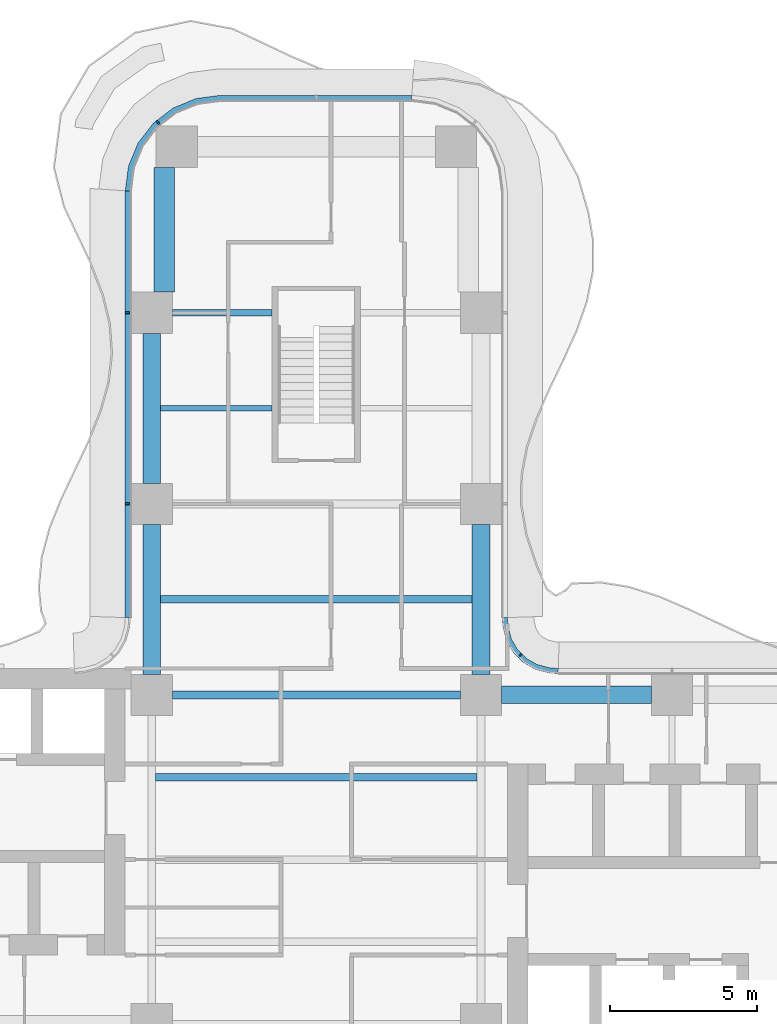
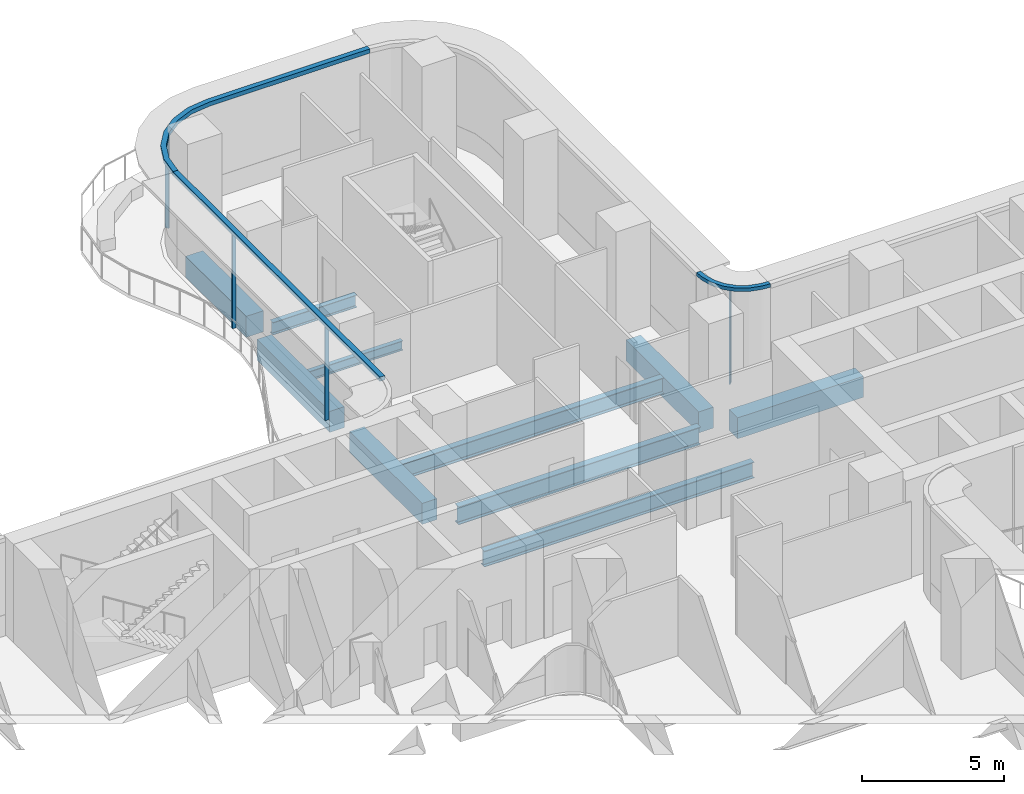
# One storey, part 9 of 22: 10 beams, 7 members, 3 elements without a shape of their own.
"""IFC4 building model written with IfcOpenShell, lengths in metres."""

from ifc_helpers import new_model, si_unit, direction, frame, origin, origin_2d, place, context, subcontext, project, spatial, polyline, rectangle, i_section, outline, extrude, source, transform, mapped, material, layer, layer_set, material_profile, profile_set, type_object, element, aggregate, save


model = new_model("IFC4")

# Units and contexts
model_context = context("Model", 3, precision=1e-05, world=origin(), true_north=direction((0.0, 1.0)))
body_context = subcontext(model_context, "Body", "Model", "MODEL_VIEW")
ifc_project = project(units=[si_unit("LENGTHUNIT", "METRE"), si_unit("AREAUNIT", "SQUARE_METRE"), si_unit("VOLUMEUNIT", "CUBIC_METRE"), si_unit("PLANEANGLEUNIT", "RADIAN"), si_unit("MASSUNIT", "GRAM", prefix="KILO")], contexts=[model_context])

# Site, building, storey
site_placement = place(None, origin())
site = spatial("IfcSite", under=ifc_project, at=site_placement, CompositionType="ELEMENT")
building_placement = place(site_placement, origin())
building = spatial("IfcBuilding", under=site, at=building_placement, Name="Trellis Farm Tower", CompositionType="ELEMENT")
storey_placement = place(building_placement, frame((0.0, 0.0, 88.0)))
storey = spatial("IfcBuildingStorey", under=building, at=storey_placement, Name="L18", CompositionType="ELEMENT", Elevation=88.0)

# Beams
ifc_material_1 = material(Name="Steel S355", Category="steel")
ifc_material_profile_1 = material_profile(ifc_material_1, i_section(OverallWidth=0.253662109375, OverallDepth=0.68359375, WebThickness=0.012451171875, FlangeThickness=0.021728515625, FilletRadius=0.01513671875, at=origin_2d()), Name="UB 686x254x140")
ifc_profile_set_1 = profile_set([ifc_material_profile_1], Name="Steel S355")
beam_type_1 = type_object("IfcBeamType", Name="UB 686x254x140 joist", PredefinedType="JOIST", material=ifc_profile_set_1)
shared_shape_1 = source(origin(), body_context, "Body", "SweptSolid", [
    extrude(i_section(OverallWidth=0.253662109375, OverallDepth=0.68359375, WebThickness=0.012451171875, FlangeThickness=0.021728515625, FilletRadius=0.01513671875, at=origin_2d()), origin(), (0.0, 0.0, 1.0), 10.93310546875),
])
beam_1_placement = place(storey_placement, frame((-5.466552734375, 2.800048828125, -0.591796875), z_axis=(1.0, 0.0, 0.0), x_axis=(0.0, 1.0, 0.0)))
element("IfcBeam", 1, at=beam_1_placement, inside=storey, type_object=beam_type_1, Name="Floor beam", PredefinedType="JOIST", context=body_context, shape_type="MappedRepresentation", body=[
    mapped(shared_shape_1, transform((0.0, 0.0, 0.0))),
])
ifc_material_profile_2 = material_profile(ifc_material_1, i_section(OverallWidth=0.209228515625, OverallDepth=0.533203125, WebThickness=0.010009765625, FlangeThickness=0.015625, FilletRadius=0.0126953125, at=origin_2d()), Name="UB 533x210x92")
ifc_profile_set_2 = profile_set([ifc_material_profile_2], Name="Steel S355")
beam_type_2 = type_object("IfcBeamType", Name="UB 533x210x92", PredefinedType="BEAM", material=ifc_profile_set_2)
shared_shape_2 = source(origin(), body_context, "Body", "SweptSolid", [
    extrude(i_section(OverallWidth=0.209228515625, OverallDepth=0.533203125, WebThickness=0.010009765625, FlangeThickness=0.015625, FilletRadius=0.0126953125, at=origin_2d()), origin(), (0.0, 0.0, 1.0), 3.39990234375),
])
beam_2_placement = place(storey_placement, frame((-4.89990234375, 18.60009765625, -0.5166015625), z_axis=(1.0, 0.0, 0.0), x_axis=(0.0, 1.0, 0.0)))
element("IfcBeam", 2, at=beam_2_placement, inside=storey, type_object=beam_type_2, Name="Girder", PredefinedType="BEAM", context=body_context, shape_type="MappedRepresentation", body=[
    mapped(shared_shape_2, transform((0.0, 0.0, 0.0))),
])
ifc_material_2 = material(Name="Concrete C60/75", Category="concrete")
ifc_material_profile_3 = material_profile(ifc_material_2, rectangle(XDim=0.60009765625, YDim=0.89990234375, at=origin_2d()), Name="RC spandrel beam 600x900 C60/75")
ifc_profile_set_3 = profile_set([ifc_material_profile_3], Name="Concrete C60/75")
beam_type_3 = type_object("IfcBeamType", Name="RC spandrel beam 600x900 C60/75", PredefinedType="SPANDREL", material=ifc_profile_set_3)
shared_shape_3 = source(origin(), body_context, "Body", "SweptSolid", [
    extrude(rectangle(XDim=0.60009765625, YDim=0.89990234375, at=origin_2d()), origin(), (0.0, 0.0, 1.0), 5.099853515625),
])
for number, where, z_axis, x_axis, name in (
    (3, (6.300048828125, 5.60009765625, -0.699951171875), (1.0, 0.0, 0.0), (0.0, 1.0, 0.0), "Girder"),
    (4, (-5.60009765625, 6.300048828125, -0.699951171875), (0.0, 1.0, 0.0), (-1.0, 0.0, 0.0), "Girder"),
    (5, (-5.60009765625, 12.800048828125, -0.699951171875), (0.0, 1.0, 0.0), (-1.0, 0.0, 0.0), "Girder"),
    (6, (5.60009765625, 6.300048828125, -0.699951171875), (0.0, 1.0, 0.0), (-1.0, 0.0, 0.0), "Girder"),
):
    element("IfcBeam", number, at=place(storey_placement, frame(where, z_axis=z_axis, x_axis=x_axis)), inside=storey, type_object=beam_type_3, Name=name, PredefinedType="SPANDREL", context=body_context, shape_type="MappedRepresentation", body=[
        mapped(shared_shape_3, transform((0.0, 0.0, 0.0))),
    ])
ifc_material_profile_4 = material_profile(ifc_material_1, i_section(OverallWidth=0.2666015625, OverallDepth=0.76220703125, WebThickness=0.014404296875, FlangeThickness=0.021484375, FilletRadius=0.0166015625, at=origin_2d()), Name="UB 762x267x173")
ifc_profile_set_4 = profile_set([ifc_material_profile_4], Name="Steel S355")
beam_type_4 = type_object("IfcBeamType", Name="UB 762x267x173", PredefinedType="BEAM", material=ifc_profile_set_4)
shared_shape_4 = source(origin(), body_context, "Body", "SweptSolid", [
    extrude(i_section(OverallWidth=0.2666015625, OverallDepth=0.76220703125, WebThickness=0.014404296875, FlangeThickness=0.021484375, FilletRadius=0.0166015625, at=origin_2d()), origin(), (0.0, 0.0, 1.0), 9.7998046875),
])
beam_3_placement = place(storey_placement, frame((-4.89990234375, 5.60009765625, -0.631103515625), z_axis=(1.0, 0.0, 0.0), x_axis=(0.0, 1.0, 0.0)))
element("IfcBeam", 7, at=beam_3_placement, inside=storey, type_object=beam_type_4, Name="Girder", PredefinedType="BEAM", context=body_context, shape_type="MappedRepresentation", body=[
    mapped(shared_shape_4, transform((0.0, 0.0, 0.0))),
])
ifc_material_profile_5 = material_profile(ifc_material_2, rectangle(XDim=0.699951171875, YDim=0.89990234375, at=origin_2d()), Name="RC spandrel beam 700x900 C60/75")
ifc_profile_set_5 = profile_set([ifc_material_profile_5], Name="Concrete C60/75")
beam_type_5 = type_object("IfcBeamType", Name="RC spandrel beam 700x900 C60/75", PredefinedType="SPANDREL", material=ifc_profile_set_5)
shared_shape_5 = source(origin(), body_context, "Body", "SweptSolid", [
    extrude(rectangle(XDim=0.699951171875, YDim=0.89990234375, at=origin_2d()), origin(), (0.0, 0.0, 1.0), 4.25),
])
beam_4_placement = place(storey_placement, frame((-5.175048828125, 19.300048828125, -0.699951171875), z_axis=(0.0, 1.0, 0.0), x_axis=(-1.0, 0.0, 0.0)))
element("IfcBeam", 8, at=beam_4_placement, inside=storey, type_object=beam_type_5, Name="Girder", PredefinedType="SPANDREL", context=body_context, shape_type="MappedRepresentation", body=[
    mapped(shared_shape_5, transform((0.0, 0.0, 0.0))),
])
ifc_material_profile_6 = material_profile(ifc_material_1, i_section(OverallWidth=0.177978515625, OverallDepth=0.406494140625, WebThickness=0.0078125, FlangeThickness=0.0126953125, FilletRadius=0.01025390625, at=origin_2d()), Name="UB 406x178x60")
ifc_profile_set_6 = profile_set([ifc_material_profile_6], Name="Steel S355")
beam_type_6 = type_object("IfcBeamType", Name="UB 406x178x60 joist", PredefinedType="JOIST", material=ifc_profile_set_6)
shared_shape_6 = source(origin(), body_context, "Body", "SweptSolid", [
    extrude(i_section(OverallWidth=0.177978515625, OverallDepth=0.406494140625, WebThickness=0.0078125, FlangeThickness=0.0126953125, FilletRadius=0.01025390625, at=origin_2d()), origin(), (0.0, 0.0, 1.0), 3.800048828125),
])
beam_5_placement = place(storey_placement, frame((-5.300048828125, 15.35009765625, -0.453125), z_axis=(1.0, 0.0, 0.0), x_axis=(0.0, 1.0, 0.0)))
element("IfcBeam", 9, at=beam_5_placement, inside=storey, type_object=beam_type_6, Name="Floor beam", PredefinedType="JOIST", context=body_context, shape_type="MappedRepresentation", body=[
    mapped(shared_shape_6, transform((0.0, 0.0, 0.0))),
])
shared_shape_7 = source(origin(), body_context, "Body", "SweptSolid", [
    extrude(i_section(OverallWidth=0.253662109375, OverallDepth=0.68359375, WebThickness=0.012451171875, FlangeThickness=0.021728515625, FilletRadius=0.01513671875, at=origin_2d()), origin(), (0.0, 0.0, 1.0), 10.60009765625),
])
beam_6_placement = place(storey_placement, frame((-5.300048828125, 8.85009765625, -0.591796875), z_axis=(1.0, 0.0, 0.0), x_axis=(0.0, 1.0, 0.0)))
element("IfcBeam", 10, at=beam_6_placement, inside=storey, type_object=beam_type_1, Name="Floor beam", PredefinedType="JOIST", context=body_context, shape_type="MappedRepresentation", body=[
    mapped(shared_shape_7, transform((0.0, 0.0, 0.0))),
])

# Curtain wall, member
ifc_material_3 = material(Name="Aluminium and glass curtain wall", Category="aluminium")
ifc_layer_1 = layer(ifc_material_3, 0.166015625)
ifc_layer_set_1 = layer_set([ifc_layer_1], Name="WINTER GARDEN CURTAIN WALL CW3")
curtain_wall_type_1 = type_object("IfcCurtainWallType", Name="WINTER GARDEN CURTAIN WALL CW3", PredefinedType="NOTDEFINED", material=ifc_layer_set_1)
placement_1 = place(storey_placement, origin())
curtain_wall_1 = element("IfcCurtainWall", 11, at=placement_1, inside=storey, type_object=curtain_wall_type_1, Name="CW3 003", PredefinedType="NOTDEFINED")
ifc_material_4 = material(Name="Aluminium extrusion 6063-T6", Category="aluminium")
ifc_layer_2 = layer(ifc_material_4, 0.169921875)
ifc_layer_set_2 = layer_set([ifc_layer_2], Name="Aluminium extrusion 6063-T6")
member_type_1 = type_object("IfcMemberType", Name="CW3 TRANSOM 170x150", PredefinedType="USERDEFINED", material=ifc_layer_set_2)
shared_shape_8 = source(origin(), body_context, "Body", "SweptSolid", [
    extrude(outline(polyline([(8.2314453125, 6.5), (8.01953125, 6.513916015625), (7.91552734375, 6.527587890625), (7.508544921875, 6.63671875), (7.144287109375, 6.846923828125), (6.846923828125, 7.144287109375), (6.63671875, 7.508544921875), (6.527587890625, 7.91552734375), (6.513916015625, 8.01953125), (6.5, 8.2314453125), (6.330078125, 8.225830078125), (6.3447265625, 8.0029296875), (6.360595703125, 7.88232421875), (6.478271484375, 7.44287109375), (6.7109375, 7.0400390625), (7.0400390625, 6.7109375), (7.44287109375, 6.478271484375), (7.88232421875, 6.360595703125), (8.0029296875, 6.3447265625), (8.225830078125, 6.330078125), (8.2314453125, 6.5)])), origin(), (0.0, 0.0, 1.0), 0.14990234375),
])
member_1_placement = place(storey_placement, frame((0.0, 0.0, 4.050048828125)))
member_1 = element("IfcMember", 12, at=member_1_placement, type_object=member_type_1, Name="TR3 003", ObjectType="TRANSOM", PredefinedType="USERDEFINED", context=body_context, shape_type="MappedRepresentation", body=[
    mapped(shared_shape_8, transform((0.0, 0.0, 0.0))),
])

ifc_layer_3 = layer(ifc_material_3, 0.18994140625)
ifc_layer_set_3 = layer_set([ifc_layer_3], Name="RIBBON CURTAIN WALL CW1")
curtain_wall_type_2 = type_object("IfcCurtainWallType", Name="RIBBON CURTAIN WALL CW1", PredefinedType="NOTDEFINED", material=ifc_layer_set_3)
curtain_wall_2 = element("IfcCurtainWall", 13, at=placement_1, inside=storey, type_object=curtain_wall_type_2, Name="CW1 011", PredefinedType="NOTDEFINED")
ifc_layer_4 = layer(ifc_material_4, 0.199951171875)
ifc_layer_set_4 = layer_set([ifc_layer_4], Name="Aluminium extrusion 6063-T6")
member_type_2 = type_object("IfcMemberType", Name="CW1 TRANSOM 200x180", PredefinedType="USERDEFINED", material=ifc_layer_set_4)
shared_shape_9 = source(origin(), body_context, "Body", "SweptSolid", [
    extrude(outline(polyline([(-6.5, 22.75), (-6.5, 8.2314453125), (-6.300048828125, 8.224853515625), (-6.300048828125, 22.73681640625), (-6.5, 22.75)])), origin(), (0.0, 0.0, 1.0), 0.179931640625),
])
placement_2 = place(storey_placement, frame((0.0, 0.0, 4.02001953125)))
member_2 = element("IfcMember", 14, at=placement_2, type_object=member_type_2, Name="TR1 011", ObjectType="TRANSOM", PredefinedType="USERDEFINED", context=body_context, shape_type="MappedRepresentation", body=[
    mapped(shared_shape_9, transform((0.0, 0.0, 0.0))),
])

# Curtain wall, members
curtain_wall_3 = element("IfcCurtainWall", 15, at=placement_1, inside=storey, type_object=curtain_wall_type_2, Name="CW1 010", PredefinedType="NOTDEFINED")
shared_shape_10 = source(origin(), body_context, "Body", "SweptSolid", [
    extrude(outline(polyline([(3.25, 26.0), (-3.25, 26.0), (-4.091064453125, 25.88916015625), (-4.875, 25.564697265625), (-5.548095703125, 25.048095703125), (-6.064697265625, 24.375), (-6.38916015625, 23.591064453125), (-6.5, 22.75), (-6.300048828125, 22.73681640625), (-6.1943359375, 23.5390625), (-5.889892578125, 24.274169921875), (-5.405517578125, 24.905517578125), (-4.774169921875, 25.389892578125), (-4.0390625, 25.6943359375), (-3.23681640625, 25.800048828125), (3.23681640625, 25.800048828125), (3.25, 26.0)])), origin(), (0.0, 0.0, 1.0), 0.179931640625),
])
member_3 = element("IfcMember", 16, at=placement_2, type_object=member_type_2, Name="TR1 010", ObjectType="TRANSOM", PredefinedType="USERDEFINED", context=body_context, shape_type="MappedRepresentation", body=[
    mapped(shared_shape_10, transform((0.0, 0.0, 0.0))),
])
ifc_material_profile_7 = material_profile(ifc_material_4, rectangle(XDim=0.06005859375, YDim=0.14990234375, at=origin_2d()), Name="MULLION 60x150")
ifc_profile_set_7 = profile_set([ifc_material_profile_7], Name="Aluminium extrusion 6063-T6")
member_type_3 = type_object("IfcMemberType", Name="CW1 MULLION 60x150", PredefinedType="MULLION", material=ifc_profile_set_7)
shared_shape_11 = source(origin(), body_context, "Body", "SweptSolid", [
    extrude(rectangle(XDim=0.06005859375, YDim=0.14990234375, at=origin_2d()), origin(), (0.0, 0.0, 1.0), 4.02001953125),
])
member_4_placement = place(storey_placement, frame((-5.385498046875, 25.078369140625, 0.0), z_axis=(0.0, 0.0, 1.0), x_axis=(-0.793353340291, -0.608761429009, 0.0)))
member_4 = element("IfcMember", 17, at=member_4_placement, type_object=member_type_3, Name="MU1 010-02", PredefinedType="MULLION", context=body_context, shape_type="MappedRepresentation", body=[
    mapped(shared_shape_11, transform((0.0, 0.0, 0.0))),
])
aggregate(curtain_wall_3, [member_4, member_3])

# Member
member_5_placement = place(storey_placement, frame((-6.425048828125, 18.60009765625, 0.0), z_axis=(0.0, 0.0, 1.0), x_axis=(0.0, -1.0, 0.0)))
member_5 = element("IfcMember", 18, at=member_5_placement, type_object=member_type_3, Name="MU1 011-01", PredefinedType="MULLION", context=body_context, shape_type="MappedRepresentation", body=[
    mapped(shared_shape_11, transform((0.0, 0.0, 0.0))),
])

member_6_placement = place(storey_placement, frame((-6.425048828125, 12.10009765625, 0.0), z_axis=(0.0, 0.0, 1.0), x_axis=(0.0, -1.0, 0.0)))
member_6 = element("IfcMember", 19, at=member_6_placement, type_object=member_type_3, Name="MU1 011-02", PredefinedType="MULLION", context=body_context, shape_type="MappedRepresentation", body=[
    mapped(shared_shape_11, transform((0.0, 0.0, 0.0))),
])

aggregate(curtain_wall_2, [member_5, member_6, member_2])

ifc_material_profile_8 = material_profile(ifc_material_4, rectangle(XDim=0.050048828125, YDim=0.1201171875, at=origin_2d()), Name="MULLION 50x120")
ifc_profile_set_8 = profile_set([ifc_material_profile_8], Name="Aluminium extrusion 6063-T6")
member_type_4 = type_object("IfcMemberType", Name="CW3 MULLION 50x120", PredefinedType="MULLION", material=ifc_profile_set_8)
shared_shape_12 = source(origin(), body_context, "Body", "SweptSolid", [
    extrude(rectangle(XDim=0.050048828125, YDim=0.1201171875, at=origin_2d()), origin(), (0.0, 0.0, 1.0), 4.050048828125),
])
member_7_placement = place(storey_placement, frame((6.953125, 6.953125, 0.0), z_axis=(0.0, 0.0, 1.0), x_axis=(-0.707106781187, 0.707106781187, 0.0)))
member_7 = element("IfcMember", 20, at=member_7_placement, type_object=member_type_4, Name="MU3 003-01", PredefinedType="MULLION", context=body_context, shape_type="MappedRepresentation", body=[
    mapped(shared_shape_12, transform((0.0, 0.0, 0.0))),
])

aggregate(curtain_wall_1, [member_7, member_1])

save(model, "model.ifc")
